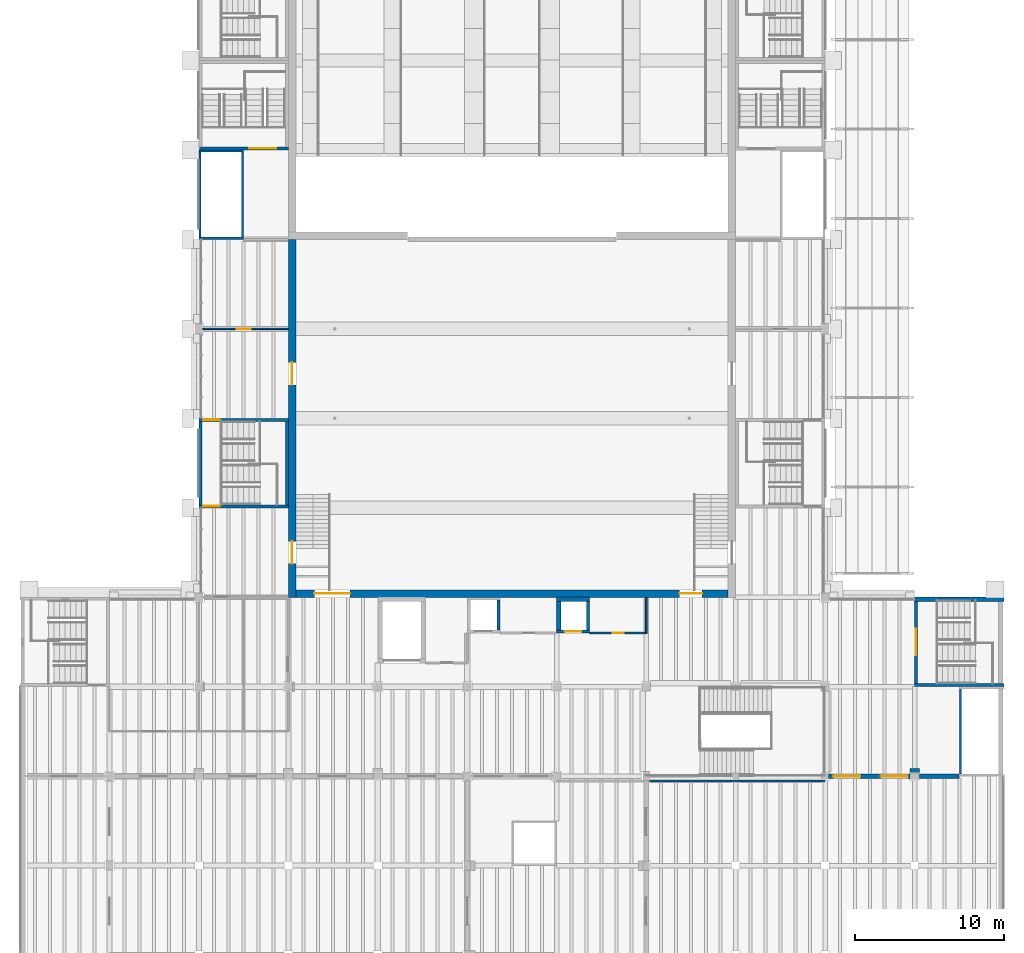
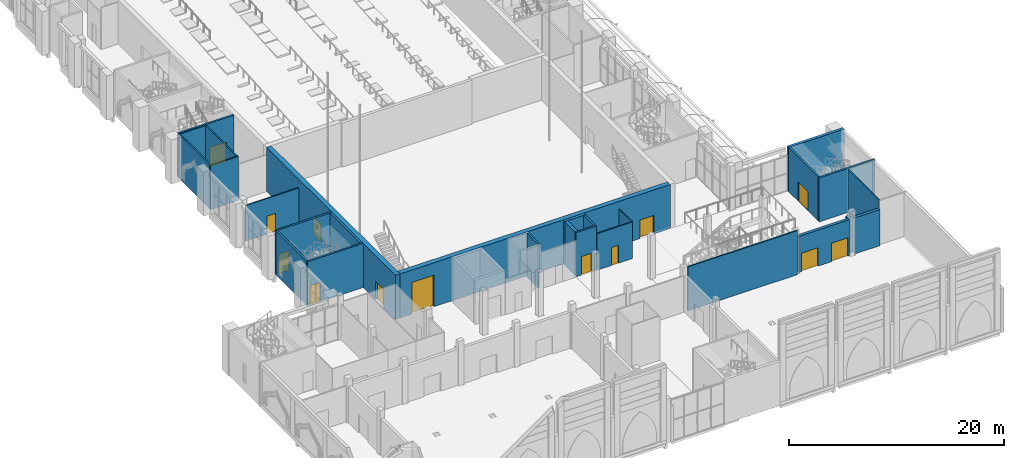
# One storey, part 39 of 80: 27 walls, 13 doors, 13 openings.
"""IFC4 building model written with IfcOpenShell, lengths in metres."""

import ifcopenshell
import ifcopenshell.guid

model = None  # the IFC model being written
_history = None  # IfcOwnerHistory: only IFC2X3 demands one
_inside = {}  # id of a spatial element -> (the spatial element, [elements in it])
_under = {}  # id of a project, library or spatial element -> (it, [spatial elements below it])
_declared = {}  # id of a project -> (the project, [libraries it declares])
_typed = {}  # id of a type object -> (the type object, [elements of that type])
_made_of = {}  # id of a material, layer set ... -> (it, [elements and type objects made of it])


def new_model(schema):
    """Start an empty IFC model of exactly this schema.

    Asked for "IFC4X3", IfcOpenShell would pick the latest addendum, in which some entities
    have other attributes; the version numbers below select the first issue.
    IFC2X3 requires an IfcOwnerHistory on every rooted entity: one is made here for all.
    """
    global model, _history
    if schema == "IFC4X3":
        model = ifcopenshell.file(schema_version=(4, 3, 0, 0))
    else:
        model = ifcopenshell.file(schema=schema)
    _inside.clear()
    _under.clear()
    _declared.clear()
    _typed.clear()
    _made_of.clear()
    _history = None
    if model.schema == "IFC2X3":
        org = make("IfcOrganization", Name="unknown")
        user = make(
            "IfcPersonAndOrganization",
            ThePerson=make("IfcPerson", FamilyName="unknown"),
            TheOrganization=org,
        )
        app = make(
            "IfcApplication",
            ApplicationDeveloper=org,
            Version="unknown",
            ApplicationFullName="unknown",
            ApplicationIdentifier="unknown",
        )
        _history = make(
            "IfcOwnerHistory",
            OwningUser=user,
            OwningApplication=app,
            ChangeAction="ADDED",
            CreationDate=0,
        )
    return model


def make(cls, **values):
    """One entity of the class cls with the attributes given. An attribute that is None is left unset."""
    return model.create_entity(
        cls, **{name: value for name, value in values.items() if value is not None}
    )


def rooted(cls, **values):
    """An entity with a GlobalId (a new one), such as an element, a storey or a relation."""
    return make(cls, GlobalId=ifcopenshell.guid.new(), OwnerHistory=_history, **values)


def si_unit(unit_type, name, prefix=None):
    """IfcSIUnit, for example si_unit("LENGTHUNIT", "METRE", prefix="MILLI")."""
    return make("IfcSIUnit", UnitType=unit_type, Prefix=prefix, Name=name)


def assignment(units):
    """IfcUnitAssignment: the units of a project."""
    return None if units is None else make("IfcUnitAssignment", Units=units)


def point(xyz):
    """IfcCartesianPoint."""
    return None if xyz is None else make("IfcCartesianPoint", Coordinates=xyz)


def direction(xyz):
    """IfcDirection."""
    return None if xyz is None else make("IfcDirection", DirectionRatios=xyz)


def frame(location, z_axis=None, x_axis=None):
    """IfcAxis2Placement3D, a coordinate frame: its origin and axes. An axis left out is left unset."""
    return make(
        "IfcAxis2Placement3D",
        Location=point(location),
        Axis=direction(z_axis),
        RefDirection=direction(x_axis),
    )


def frame_2d(location, x_axis=None):
    """IfcAxis2Placement2D, a coordinate frame in the plane: its origin and x axis."""
    return make(
        "IfcAxis2Placement2D", Location=point(location), RefDirection=direction(x_axis)
    )


def origin():
    """The frame at (0, 0, 0) with its axes left unset."""
    return frame((0.0, 0.0, 0.0))


def place(relative_to, where):
    """IfcLocalPlacement: puts the frame where relative to a parent placement (None: the world)."""
    return make(
        "IfcLocalPlacement", PlacementRelTo=relative_to, RelativePlacement=where
    )


def context(
    kind, dimensions, precision=None, world=None, true_north=None, identifier=None
):
    """IfcGeometricRepresentationContext, for example the 3D "Model" context."""
    return make(
        "IfcGeometricRepresentationContext",
        ContextIdentifier=identifier,
        ContextType=kind,
        CoordinateSpaceDimension=dimensions,
        Precision=precision,
        WorldCoordinateSystem=world,
        TrueNorth=true_north,
    )


def subcontext(parent, identifier, kind, view, scale=None):
    """IfcGeometricRepresentationSubContext, for example "Body" below "Model"."""
    return make(
        "IfcGeometricRepresentationSubContext",
        ContextIdentifier=identifier,
        ContextType=kind,
        ParentContext=parent,
        TargetScale=scale,
        TargetView=view,
    )


def project(units=None, contexts=None):
    """IfcProject with its units and contexts."""
    return rooted(
        "IfcProject",
        Name="project",
        RepresentationContexts=contexts,
        UnitsInContext=assignment(units),
    )


def spatial(cls, under=None, at=None, **own):
    """A site, building, storey or space (cls), placed at a placement, below another one or the project."""
    s = rooted(cls, ObjectPlacement=at, **own)
    if under is not None:
        _under.setdefault(under.id(), (under, []))[1].append(s)
    return s


def profile(cls, at=None, kind="AREA", **sizes):
    """A parametric profile (cls). Its sizes go by their IFC names, for example OverallWidth=200.0."""
    return make(cls, ProfileType=kind, Position=at, **sizes)


def rectangle(**sizes):
    """IfcRectangleProfileDef."""
    return profile("IfcRectangleProfileDef", **sizes)


def extrude(swept, where, along, depth):
    """IfcExtrudedAreaSolid: the profile swept, set in the frame where, extruded along a direction by depth."""
    return make(
        "IfcExtrudedAreaSolid",
        SweptArea=swept,
        Position=where,
        ExtrudedDirection=direction(along),
        Depth=depth,
    )


def shape(context_of_items, identifier, shape_type, items):
    """IfcShapeRepresentation: the items that make up one representation, for example the "Body"."""
    return make(
        "IfcShapeRepresentation",
        ContextOfItems=context_of_items,
        RepresentationIdentifier=identifier,
        RepresentationType=shape_type,
        Items=items,
    )


def material(Name=None, Category=None):
    """IfcMaterial."""
    return make("IfcMaterial", Name=Name, Category=Category)


def layer(
    of_material, thickness, ventilated=None, Name=None, Category=None, Priority=None
):
    """IfcMaterialLayer: one layer of a wall or slab, of a material (None: an air gap)."""
    return make(
        "IfcMaterialLayer",
        Material=of_material,
        LayerThickness=thickness,
        IsVentilated=ventilated,
        Name=Name,
        Category=Category,
        Priority=Priority,
    )


def layer_set(layers, Name=None):
    """IfcMaterialLayerSet."""
    return make("IfcMaterialLayerSet", MaterialLayers=layers, LayerSetName=Name)


def made_of(thing, what):
    """Note that an element or type object is made of a material, layer set ...; save() writes the relation."""
    if what is not None:
        _made_of.setdefault(what.id(), (what, []))[1].append(thing)
    return thing


def type_object(cls, material=None, **own):
    """A type object (cls), such as IfcWallType, which elements share."""
    return made_of(rooted(cls, **own), material)


def element(
    cls,
    number,
    at=None,
    inside=None,
    cuts=None,
    type_object=None,
    material=None,
    context=None,
    identifier="Body",
    shape_type=None,
    held_by="IfcProductDefinitionShape",
    body=None,
    shapes=None,
    **own,
):
    """One element of the class cls, such as IfcWall. Its Tag is "e" and its number.

    at: its placement. inside: the storey or other place that contains it. cuts: it is an
    opening in that element (IfcRelVoidsElement). A single representation is given by context,
    identifier, shape_type and body (its items); several are given by shapes. held_by: the class
    of the entity that holds the representations. save() writes the other relations.
    """
    e = rooted(cls, Tag="e%d" % number, ObjectPlacement=at, **own)
    if body is not None:
        shapes = [shape(context, identifier, shape_type, body)]
    if shapes is not None:
        e.Representation = make(held_by, Representations=shapes)
    if inside is not None:
        _inside.setdefault(inside.id(), (inside, []))[1].append(e)
    if cuts is not None:
        rooted(
            "IfcRelVoidsElement", RelatingBuildingElement=cuts, RelatedOpeningElement=e
        )
    if type_object is not None:
        _typed.setdefault(type_object.id(), (type_object, []))[1].append(e)
    return made_of(e, material)


def fill(opening, filler):
    """IfcRelFillsElement: the door or window that sits in an opening."""
    return rooted(
        "IfcRelFillsElement",
        RelatingOpeningElement=opening,
        RelatedBuildingElement=filler,
    )


def aggregate(whole, parts):
    """IfcRelAggregates: a whole, such as a stair, and the parts it consists of."""
    return rooted("IfcRelAggregates", RelatingObject=whole, RelatedObjects=parts)


def save(model, path):
    """Write the relations noted so far, then the file.

    IfcRelAggregates (storeys below a building ...), IfcRelContainedInSpatialStructure (elements
    in a storey), IfcRelDefinesByType, IfcRelAssociatesMaterial and IfcRelDeclares: one each for
    every whole, place, type object, material and project.
    """
    for whole, parts in _under.values():
        aggregate(whole, parts)
    for where, things in _inside.values():
        rooted(
            "IfcRelContainedInSpatialStructure",
            RelatedElements=things,
            RelatingStructure=where,
        )
    for kind, things in _typed.values():
        rooted("IfcRelDefinesByType", RelatedObjects=things, RelatingType=kind)
    for what, things in _made_of.values():
        rooted("IfcRelAssociatesMaterial", RelatedObjects=things, RelatingMaterial=what)
    for by, libraries in _declared.values():
        rooted("IfcRelDeclares", RelatingContext=by, RelatedDefinitions=libraries)
    model.write(path)


model = new_model("IFC4")

# Units and contexts
model_context = context("Model", 3, precision=1e-05, world=origin(), true_north=direction((0.0, 1.0)))
body_context = subcontext(model_context, "Body", "Model", "MODEL_VIEW")
ifc_project = project(units=[si_unit("LENGTHUNIT", "METRE"), si_unit("AREAUNIT", "SQUARE_METRE"), si_unit("VOLUMEUNIT", "CUBIC_METRE"), si_unit("PLANEANGLEUNIT", "RADIAN"), si_unit("MASSUNIT", "GRAM", prefix="KILO")], contexts=[model_context])

# Site, building, storey
site_placement = place(None, origin())
site = spatial("IfcSite", under=ifc_project, at=site_placement, CompositionType="ELEMENT")
building_placement = place(site_placement, origin())
building = spatial("IfcBuilding", under=site, at=building_placement, Name="Saffron Lane Theatres", CompositionType="ELEMENT")
storey_placement = place(building_placement, frame((0.0, 0.0, 7.0)))
storey = spatial("IfcBuildingStorey", under=building, at=storey_placement, Name="L01", CompositionType="ELEMENT", Elevation=7.0)

# Wall, openings, doors
ifc_material_1 = material(Name="Acoustic masonry fire wall", Category="masonry")
ifc_layer_1 = layer(ifc_material_1, 0.300048828125)
ifc_layer_set_1 = layer_set([ifc_layer_1], Name="Acoustic masonry fire wall")
wall_type_1 = type_object("IfcWallType", Name="IN-ACOUSTIC FIRE WALL 300", PredefinedType="PARTITIONING", material=ifc_layer_set_1)
wall_1_placement = place(storey_placement, frame((54.2451171875, 18.0, 0.0), z_axis=(0.0, 0.0, 1.0), x_axis=(1.0, 0.0, 0.0)))
wall_1 = element("IfcWall", 1, at=wall_1_placement, inside=storey, type_object=wall_type_1, Name="PW-L01-008", PredefinedType="PARTITIONING", context=body_context, shape_type="SweptSolid", body=[
    extrude(rectangle(XDim=5.434814453125, YDim=0.300048828125, at=frame_2d((2.71728515625, 0.0))), origin(), (0.0, 0.0, 1.0), 4.10009765625),
])
opening_1_placement = place(wall_1_placement, frame((0.304931640625, 0.0, 0.0)))
opening_1 = element("IfcOpeningElement", 2, at=opening_1_placement, cuts=wall_1, Name="Opening D01-30", PredefinedType="OPENING", context=body_context, shape_type="SweptSolid", body=[
    extrude(rectangle(XDim=1.800048828125, YDim=2.10009765625, at=frame_2d((0.89990234375, 1.050048828125))), frame((0.0, 0.16015625, 0.0), z_axis=(0.0, -1.0, 0.0), x_axis=(1.0, 0.0, 0.0)), (0.0, 0.0, 1.0), 0.320068359375),
])
opening_2_placement = place(wall_1_placement, frame((3.5048828125, 0.0, 0.0)))
opening_2 = element("IfcOpeningElement", 3, at=opening_2_placement, cuts=wall_1, Name="Opening D01-31", PredefinedType="OPENING", context=body_context, shape_type="SweptSolid", body=[
    extrude(rectangle(XDim=1.800048828125, YDim=2.10009765625, at=frame_2d((0.89990234375, 1.050048828125))), frame((0.0, 0.16015625, 0.0), z_axis=(0.0, -1.0, 0.0), x_axis=(1.0, 0.0, 0.0)), (0.0, 0.0, 1.0), 0.320068359375),
])
ifc_material_2 = material(Name="Steel faced fire door leaf", Category="steel")
door_type_1 = type_object("IfcDoorType", Name="IN-DOOR 1800x2100 FD120", OperationType="DOUBLE_DOOR_SINGLE_SWING", PredefinedType="DOOR", material=ifc_material_2)
door_1_placement = place(opening_1_placement, origin())
door_1 = element("IfcDoor", 4, at=door_1_placement, inside=storey, type_object=door_type_1, Name="D01-30", OperationType="DOUBLE_DOOR_SINGLE_SWING", OverallHeight=2.10009765625, OverallWidth=1.800048828125, PredefinedType="DOOR", context=body_context, shape_type="SweptSolid", body=[
    extrude(rectangle(XDim=1.800048828125, YDim=2.10009765625, at=frame_2d((0.89990234375, 1.050048828125))), frame((0.0, 0.02490234375, 0.0), z_axis=(0.0, -1.0, 0.0), x_axis=(1.0, 0.0, 0.0)), (0.0, 0.0, 1.0), 0.050048828125),
])
fill(opening_1, door_1)
door_2_placement = place(opening_2_placement, origin())
door_2 = element("IfcDoor", 5, at=door_2_placement, inside=storey, type_object=door_type_1, Name="D01-31", OperationType="DOUBLE_DOOR_SINGLE_SWING", OverallHeight=2.10009765625, OverallWidth=1.800048828125, PredefinedType="DOOR", context=body_context, shape_type="SweptSolid", body=[
    extrude(rectangle(XDim=1.800048828125, YDim=2.10009765625, at=frame_2d((0.89990234375, 1.050048828125))), frame((0.0, 0.02490234375, 0.0), z_axis=(0.0, -1.0, 0.0), x_axis=(1.0, 0.0, 0.0)), (0.0, 0.0, 1.0), 0.050048828125),
])
fill(opening_2, door_2)

# Walls
wall_2_placement = place(storey_placement, frame((60.320068359375, 18.0, 0.0), z_axis=(0.0, 0.0, 1.0), x_axis=(1.0, 0.0, 0.0)))
element("IfcWall", 6, at=wall_2_placement, inside=storey, type_object=wall_type_1, Name="PW-L01-009", PredefinedType="PARTITIONING", context=body_context, shape_type="SweptSolid", body=[
    extrude(rectangle(XDim=2.659912109375, YDim=0.300048828125, at=frame_2d((1.330078125, 0.0))), origin(), (0.0, 0.0, 1.0), 4.10009765625),
])
wall_3_placement = place(storey_placement, frame((59.679931640625, 18.3798828125, 0.0), z_axis=(0.0, 0.0, 1.0), x_axis=(1.0, 0.0, 0.0)))
element("IfcWall", 7, at=wall_3_placement, inside=storey, type_object=wall_type_1, Name="PW-L01-010", PredefinedType="PARTITIONING", context=body_context, shape_type="SweptSolid", body=[
    extrude(rectangle(XDim=0.64013671875, YDim=0.300048828125, at=frame_2d((0.320068359375, 0.0))), origin(), (0.0, 0.0, 1.0), 4.10009765625),
])

# Wall, opening, door
ifc_material_3 = material(Name="Masonry block partition", Category="masonry")
ifc_layer_2 = layer(ifc_material_3, 0.110107421875)
ifc_layer_set_2 = layer_set([ifc_layer_2], Name="Masonry block partition")
wall_type_2 = type_object("IfcWallType", Name="IN-BLOCK PARTITION 110", PredefinedType="PARTITIONING", material=ifc_layer_set_2)
wall_4_placement = place(storey_placement, frame((12.27001953125, 48.0, 0.0), z_axis=(0.0, 0.0, 1.0), x_axis=(1.0, 0.0, 0.0)))
wall_4 = element("IfcWall", 8, at=wall_4_placement, inside=storey, type_object=wall_type_2, Name="PW-L01-028", PredefinedType="PARTITIONING", context=body_context, shape_type="SweptSolid", body=[
    extrude(rectangle(XDim=5.7099609375, YDim=0.110107421875, at=frame_2d((2.85498046875, 0.0))), origin(), (0.0, 0.0, 1.0), 4.050048828125),
])
opening_3_placement = place(wall_4_placement, frame((2.280029296875, 0.0, 0.0)))
opening_3 = element("IfcOpeningElement", 9, at=opening_3_placement, cuts=wall_4, Name="Opening D01-15", PredefinedType="OPENING", context=body_context, shape_type="SweptSolid", body=[
    extrude(rectangle(XDim=0.919921875, YDim=2.0400390625, at=frame_2d((0.4599609375, 1.02001953125))), frame((0.0, 0.06494140625, 0.0), z_axis=(0.0, -1.0, 0.0), x_axis=(1.0, 0.0, 0.0)), (0.0, 0.0, 1.0), 0.130126953125),
])
ifc_material_4 = material(Name="Steel faced fire door leaf", Category="steel")
door_type_2 = type_object("IfcDoorType", Name="IN-DOOR 920x2040 FD60", OperationType="NOTDEFINED", PredefinedType="DOOR", material=ifc_material_4)
door_3_placement = place(opening_3_placement, origin())
door_3 = element("IfcDoor", 10, at=door_3_placement, inside=storey, type_object=door_type_2, Name="D01-15", OperationType="SINGLE_SWING_RIGHT", OverallHeight=2.0400390625, OverallWidth=0.919921875, PredefinedType="DOOR", context=body_context, shape_type="SweptSolid", body=[
    extrude(rectangle(XDim=0.919921875, YDim=2.0400390625, at=frame_2d((0.4599609375, 1.02001953125))), frame((0.0, 0.02490234375, 0.0), z_axis=(0.0, -1.0, 0.0), x_axis=(1.0, 0.0, 0.0)), (0.0, 0.0, 1.0), 0.050048828125),
])
fill(opening_3, door_3)

wall_5_placement = place(storey_placement, frame((38.219970703125, 27.60009765625, 0.0), z_axis=(0.0, 0.0, 1.0), x_axis=(1.0, 0.0, 0.0)))
wall_5 = element("IfcWall", 11, at=wall_5_placement, inside=storey, type_object=wall_type_2, Name="PW-L01-039", PredefinedType="PARTITIONING", context=body_context, shape_type="SweptSolid", body=[
    extrude(rectangle(XDim=3.780029296875, YDim=0.110107421875, at=frame_2d((1.89013671875, 0.0))), origin(), (0.0, 0.0, 1.0), 4.14990234375),
])
opening_4_placement = place(wall_5_placement, frame((1.530029296875, 0.0, 0.0)))
opening_4 = element("IfcOpeningElement", 12, at=opening_4_placement, cuts=wall_5, Name="Opening D01-55", PredefinedType="OPENING", context=body_context, shape_type="SweptSolid", body=[
    extrude(rectangle(XDim=0.75, YDim=2.0400390625, at=frame_2d((0.375, 1.02001953125))), frame((0.0, 0.06494140625, 0.0), z_axis=(0.0, -1.0, 0.0), x_axis=(1.0, 0.0, 0.0)), (0.0, 0.0, 1.0), 0.130126953125),
])
ifc_material_5 = material(Name="Steel faced fire door leaf", Category="steel")
door_type_3 = type_object("IfcDoorType", Name="IN-DOOR 750x2040 FD60", OperationType="NOTDEFINED", PredefinedType="DOOR", material=ifc_material_5)
door_4_placement = place(opening_4_placement, origin())
door_4 = element("IfcDoor", 13, at=door_4_placement, inside=storey, type_object=door_type_3, Name="D01-55", OperationType="SINGLE_SWING_LEFT", OverallHeight=2.0400390625, OverallWidth=0.75, PredefinedType="DOOR", context=body_context, shape_type="SweptSolid", body=[
    extrude(rectangle(XDim=0.75, YDim=2.0400390625, at=frame_2d((0.375, 1.02001953125))), frame((0.0, 0.02490234375, 0.0), z_axis=(0.0, -1.0, 0.0), x_axis=(1.0, 0.0, 0.0)), (0.0, 0.0, 1.0), 0.050048828125),
])
fill(opening_4, door_4)

# Walls
wall_6_placement = place(storey_placement, frame((42.0, 27.60009765625, 0.0), z_axis=(0.0, 0.0, 1.0), x_axis=(0.0, 1.0, 0.0)))
element("IfcWall", 14, at=wall_6_placement, inside=storey, type_object=wall_type_2, Name="PW-L01-040", PredefinedType="PARTITIONING", context=body_context, shape_type="SweptSolid", body=[
    extrude(rectangle(XDim=2.3798828125, YDim=0.110107421875, at=frame_2d((1.18994140625, 0.0))), origin(), (0.0, 0.0, 1.0), 4.14990234375),
])
ifc_material_6 = material(Name="Masonry block partition", Category="masonry")
ifc_layer_3 = layer(ifc_material_6, 0.139892578125)
ifc_layer_set_3 = layer_set([ifc_layer_3], Name="Masonry block partition")
wall_type_3 = type_object("IfcWallType", Name="IN-BLOCK PARTITION 140", PredefinedType="PARTITIONING", material=ifc_layer_set_3)
wall_7_placement = place(storey_placement, frame((42.22509765625, 17.679931640625, 0.0), z_axis=(0.0, 0.0, 1.0), x_axis=(1.0, 0.0, 0.0)))
element("IfcWall", 15, at=wall_7_placement, inside=storey, type_object=wall_type_3, Name="PW-L01-063", PredefinedType="PARTITIONING", context=body_context, shape_type="SweptSolid", body=[
    extrude(rectangle(XDim=11.77490234375, YDim=0.139892578125, at=frame_2d((5.887451171875, 0.0))), origin(), (0.0, 0.0, 1.0), 5.0),
])
ifc_material_7 = material(Name="Concrete N50 (50 MPa)", Category="concrete")
ifc_layer_4 = layer(ifc_material_7, 0.14990234375)
ifc_layer_set_4 = layer_set([ifc_layer_4], Name="Concrete N50 (50 MPa)")
wall_type_4 = type_object("IfcWallType", Name="RC-CORE 150", PredefinedType="SHEAR", material=ifc_layer_set_4)
for number, where, z_axis, x_axis, name in (
    (16, (12.0, 59.925048828125, 0.0), (0.0, 0.0, 1.0), (1.0, 0.0, 0.0), "W-R3-N-L01"),
    (17, (12.0, 54.074951171875, 0.0), (0.0, 0.0, 1.0), (1.0, 0.0, 0.0), "W-R3-S-L01"),
):
    element("IfcWall", number, at=place(storey_placement, frame(where, z_axis=z_axis, x_axis=x_axis)), inside=storey, type_object=wall_type_4, Name=name, PredefinedType="SHEAR", context=body_context, shape_type="SweptSolid", body=[
        extrude(rectangle(XDim=3.0, YDim=0.14990234375, at=frame_2d((1.5, 0.0))), origin(), (0.0, 0.0, 1.0), 5.0),
    ])
for number, where, z_axis, x_axis, name in (
    (18, (14.925048828125, 54.14990234375, 0.0), (0.0, 0.0, 1.0), (0.0, 1.0, 0.0), "W-R3-E-L01"),
    (19, (63.074951171875, 18.14990234375, 0.0), (0.0, 0.0, 1.0), (0.0, 1.0, 0.0), "W-R6-W-L01"),
):
    element("IfcWall", number, at=place(storey_placement, frame(where, z_axis=z_axis, x_axis=x_axis)), inside=storey, type_object=wall_type_4, Name=name, PredefinedType="SHEAR", context=body_context, shape_type="SweptSolid", body=[
        extrude(rectangle(XDim=5.7001953125, YDim=0.14990234375, at=frame_2d((2.85009765625, 0.0))), origin(), (0.0, 0.0, 1.0), 5.0),
    ])

# Wall, opening, door
ifc_material_8 = material(Name="Concrete N50 (50 MPa)", Category="concrete")
ifc_layer_5 = layer(ifc_material_8, 0.199951171875)
ifc_layer_set_5 = layer_set([ifc_layer_5], Name="Concrete N50 (50 MPa)")
wall_type_5 = type_object("IfcWallType", Name="RC-CORE 200", PredefinedType="SHEAR", material=ifc_layer_set_5)
wall_8_placement = place(storey_placement, frame((12.0, 60.10009765625, 0.0), z_axis=(0.0, 0.0, 1.0), x_axis=(1.0, 0.0, 0.0)))
wall_8 = element("IfcWall", 20, at=wall_8_placement, inside=storey, type_object=wall_type_5, Name="W-ST10-S-L01", PredefinedType="SHEAR", context=body_context, shape_type="SweptSolid", body=[
    extrude(rectangle(XDim=6.0, YDim=0.199951171875, at=frame_2d((3.0, 0.0))), origin(), (0.0, 0.0, 1.0), 5.0),
])
opening_5_placement = place(wall_8_placement, frame((3.375, 0.0, 0.0)))
opening_5 = element("IfcOpeningElement", 21, at=opening_5_placement, cuts=wall_8, Name="Opening D01-37", PredefinedType="OPENING", context=body_context, shape_type="SweptSolid", body=[
    extrude(rectangle(XDim=1.800048828125, YDim=2.199951171875, at=frame_2d((0.89990234375, 1.10009765625))), frame((0.0, 0.10986328125, 0.0), z_axis=(0.0, -1.0, 0.0), x_axis=(1.0, 0.0, 0.0)), (0.0, 0.0, 1.0), 0.219970703125),
])
ifc_material_9 = material(Name="Steel faced fire door leaf", Category="steel")
door_type_4 = type_object("IfcDoorType", Name="IN-DOOR 1800x2200 FD120", OperationType="DOUBLE_DOOR_SINGLE_SWING", PredefinedType="DOOR", material=ifc_material_9)
door_5_placement = place(opening_5_placement, origin())
door_5 = element("IfcDoor", 22, at=door_5_placement, inside=storey, type_object=door_type_4, Name="D01-37", OperationType="DOUBLE_DOOR_SINGLE_SWING", OverallHeight=2.199951171875, OverallWidth=1.800048828125, PredefinedType="DOOR", context=body_context, shape_type="SweptSolid", body=[
    extrude(rectangle(XDim=1.800048828125, YDim=2.199951171875, at=frame_2d((0.89990234375, 1.10009765625))), frame((0.0, 0.02490234375, 0.0), z_axis=(0.0, -1.0, 0.0), x_axis=(1.0, 0.0, 0.0)), (0.0, 0.0, 1.0), 0.050048828125),
])
fill(opening_5, door_5)

wall_9_placement = place(storey_placement, frame((12.0, 41.89990234375, 0.0), z_axis=(0.0, 0.0, 1.0), x_axis=(1.0, 0.0, 0.0)))
wall_9 = element("IfcWall", 23, at=wall_9_placement, inside=storey, type_object=wall_type_5, Name="W-ST5-N-L01", PredefinedType="SHEAR", context=body_context, shape_type="SweptSolid", body=[
    extrude(rectangle(XDim=6.0, YDim=0.199951171875, at=frame_2d((3.0, 0.0))), origin(), (0.0, 0.0, 1.0), 5.0),
])
opening_6_placement = place(wall_9_placement, frame((0.300048828125, 0.0, 0.0)))
opening_6 = element("IfcOpeningElement", 24, at=opening_6_placement, cuts=wall_9, Name="Opening D01-40", PredefinedType="OPENING", context=body_context, shape_type="SweptSolid", body=[
    extrude(rectangle(XDim=1.10009765625, YDim=2.199951171875, at=frame_2d((0.550048828125, 1.10009765625))), frame((0.0, 0.10986328125, 0.0), z_axis=(0.0, -1.0, 0.0), x_axis=(1.0, 0.0, 0.0)), (0.0, 0.0, 1.0), 0.219970703125),
])
ifc_material_10 = material(Name="Steel faced fire door leaf", Category="steel")
door_type_5 = type_object("IfcDoorType", Name="IN-DOOR 1100x2200 FD120", OperationType="NOTDEFINED", PredefinedType="DOOR", material=ifc_material_10)
door_6_placement = place(opening_6_placement, frame((1.10009765625, 0.0, 0.0), z_axis=(0.0, 0.0, 1.0), x_axis=(-1.0, 0.0, 0.0)))
door_6 = element("IfcDoor", 25, at=door_6_placement, inside=storey, type_object=door_type_5, Name="D01-40", OperationType="SINGLE_SWING_LEFT", OverallHeight=2.199951171875, OverallWidth=1.10009765625, PredefinedType="DOOR", context=body_context, shape_type="SweptSolid", body=[
    extrude(rectangle(XDim=1.10009765625, YDim=2.199951171875, at=frame_2d((0.550048828125, 1.10009765625))), frame((0.0, 0.02490234375, 0.0), z_axis=(0.0, -1.0, 0.0), x_axis=(1.0, 0.0, 0.0)), (0.0, 0.0, 1.0), 0.050048828125),
])
fill(opening_6, door_6)

wall_10_placement = place(storey_placement, frame((12.0, 36.10009765625, 0.0), z_axis=(0.0, 0.0, 1.0), x_axis=(1.0, 0.0, 0.0)))
wall_10 = element("IfcWall", 26, at=wall_10_placement, inside=storey, type_object=wall_type_5, Name="W-ST5-S-L01", PredefinedType="SHEAR", context=body_context, shape_type="SweptSolid", body=[
    extrude(rectangle(XDim=6.0, YDim=0.199951171875, at=frame_2d((3.0, 0.0))), origin(), (0.0, 0.0, 1.0), 5.0),
])
opening_7_placement = place(wall_10_placement, frame((0.300048828125, 0.0, 0.0)))
opening_7 = element("IfcOpeningElement", 27, at=opening_7_placement, cuts=wall_10, Name="Opening D01-39", PredefinedType="OPENING", context=body_context, shape_type="SweptSolid", body=[
    extrude(rectangle(XDim=1.10009765625, YDim=2.199951171875, at=frame_2d((0.550048828125, 1.10009765625))), frame((0.0, 0.10986328125, 0.0), z_axis=(0.0, -1.0, 0.0), x_axis=(1.0, 0.0, 0.0)), (0.0, 0.0, 1.0), 0.219970703125),
])
door_7_placement = place(opening_7_placement, origin())
door_7 = element("IfcDoor", 28, at=door_7_placement, inside=storey, type_object=door_type_5, Name="D01-39", OperationType="SINGLE_SWING_RIGHT", OverallHeight=2.199951171875, OverallWidth=1.10009765625, PredefinedType="DOOR", context=body_context, shape_type="SweptSolid", body=[
    extrude(rectangle(XDim=1.10009765625, YDim=2.199951171875, at=frame_2d((0.550048828125, 1.10009765625))), frame((0.0, 0.02490234375, 0.0), z_axis=(0.0, -1.0, 0.0), x_axis=(1.0, 0.0, 0.0)), (0.0, 0.0, 1.0), 0.050048828125),
])
fill(opening_7, door_7)

# Walls
wall_11_placement = place(storey_placement, frame((17.89990234375, 36.199951171875, 0.0), z_axis=(0.0, 0.0, 1.0), x_axis=(0.0, 1.0, 0.0)))
element("IfcWall", 29, at=wall_11_placement, inside=storey, type_object=wall_type_5, Name="W-ST5-E-L01", PredefinedType="SHEAR", context=body_context, shape_type="SweptSolid", body=[
    extrude(rectangle(XDim=5.60009765625, YDim=0.199951171875, at=frame_2d((2.800048828125, 0.0))), origin(), (0.0, 0.0, 1.0), 5.0),
])
wall_12_placement = place(storey_placement, frame((60.0, 24.10009765625, 0.0), z_axis=(0.0, 0.0, 1.0), x_axis=(1.0, 0.0, 0.0)))
element("IfcWall", 30, at=wall_12_placement, inside=storey, type_object=wall_type_5, Name="W-ST13-S-L01", PredefinedType="SHEAR", context=body_context, shape_type="SweptSolid", body=[
    extrude(rectangle(XDim=6.0, YDim=0.199951171875, at=frame_2d((3.0, 0.0))), origin(), (0.0, 0.0, 1.0), 5.0),
])

# Wall, opening, door
wall_13_placement = place(storey_placement, frame((60.10009765625, 24.199951171875, 0.0), z_axis=(0.0, 0.0, 1.0), x_axis=(0.0, 1.0, 0.0)))
wall_13 = element("IfcWall", 31, at=wall_13_placement, inside=storey, type_object=wall_type_5, Name="W-ST13-W-L01", PredefinedType="SHEAR", context=body_context, shape_type="SweptSolid", body=[
    extrude(rectangle(XDim=5.5, YDim=0.199951171875, at=frame_2d((2.75, 0.0))), origin(), (0.0, 0.0, 1.0), 5.0),
])
opening_8_placement = place(wall_13_placement, frame((1.89990234375, 0.0, 0.0)))
opening_8 = element("IfcOpeningElement", 32, at=opening_8_placement, cuts=wall_13, Name="Opening D01-47", PredefinedType="OPENING", context=body_context, shape_type="SweptSolid", body=[
    extrude(rectangle(XDim=1.800048828125, YDim=2.199951171875, at=frame_2d((0.89990234375, 1.10009765625))), frame((0.0, 0.10986328125, 0.0), z_axis=(0.0, -1.0, 0.0), x_axis=(1.0, 0.0, 0.0)), (0.0, 0.0, 1.0), 0.219970703125),
])
door_8_placement = place(opening_8_placement, frame((1.800048828125, 0.0, 0.0), z_axis=(0.0, 0.0, 1.0), x_axis=(-1.0, 0.0, 0.0)))
door_8 = element("IfcDoor", 33, at=door_8_placement, inside=storey, type_object=door_type_4, Name="D01-47", OperationType="DOUBLE_DOOR_SINGLE_SWING", OverallHeight=2.199951171875, OverallWidth=1.800048828125, PredefinedType="DOOR", context=body_context, shape_type="SweptSolid", body=[
    extrude(rectangle(XDim=1.800048828125, YDim=2.199951171875, at=frame_2d((0.89990234375, 1.10009765625))), frame((0.0, 0.02490234375, 0.0), z_axis=(0.0, -1.0, 0.0), x_axis=(1.0, 0.0, 0.0)), (0.0, 0.0, 1.0), 0.050048828125),
])
fill(opening_8, door_8)

# Wall
wall_14_placement = place(storey_placement, frame((32.10009765625, 27.800048828125, 0.0), z_axis=(0.0, 0.0, 1.0), x_axis=(0.0, 1.0, 0.0)))
element("IfcWall", 34, at=wall_14_placement, inside=storey, type_object=wall_type_5, Name="W-LC5-E-L01", PredefinedType="SHEAR", context=body_context, shape_type="SweptSolid", body=[
    extrude(rectangle(XDim=2.0, YDim=0.199951171875, at=frame_2d((1.0, 0.0))), origin(), (0.0, 0.0, 1.0), 5.0),
])

# Wall, opening, door
wall_15_placement = place(storey_placement, frame((36.0, 27.699951171875, 0.0), z_axis=(0.0, 0.0, 1.0), x_axis=(1.0, 0.0, 0.0)))
wall_15 = element("IfcWall", 35, at=wall_15_placement, inside=storey, type_object=wall_type_5, Name="W-LC6-S-L01", PredefinedType="SHEAR", context=body_context, shape_type="SweptSolid", body=[
    extrude(rectangle(XDim=2.199951171875, YDim=0.199951171875, at=frame_2d((1.10009765625, 0.0))), origin(), (0.0, 0.0, 1.0), 5.0),
])
opening_9_placement = place(wall_15_placement, frame((0.550048828125, 0.0, 0.0)))
opening_9 = element("IfcOpeningElement", 36, at=opening_9_placement, cuts=wall_15, Name="Opening LD21", PredefinedType="OPENING", context=body_context, shape_type="SweptSolid", body=[
    extrude(rectangle(XDim=1.10009765625, YDim=2.10009765625, at=frame_2d((0.550048828125, 1.050048828125))), frame((0.0, 0.10986328125, 0.0), z_axis=(0.0, -1.0, 0.0), x_axis=(1.0, 0.0, 0.0)), (0.0, 0.0, 1.0), 0.219970703125),
])
ifc_material_11 = material(Name="Stainless steel 316", Category="steel")
door_type_6 = type_object("IfcDoorType", Name="VC-LANDING DOOR 1100x2100", OperationType="DOUBLE_DOOR_SLIDING", PredefinedType="DOOR", material=ifc_material_11)
door_9_placement = place(opening_9_placement, origin())
door_9 = element("IfcDoor", 37, at=door_9_placement, inside=storey, type_object=door_type_6, Name="Landing doors LC6 L01", OperationType="DOUBLE_DOOR_SLIDING", OverallHeight=2.10009765625, OverallWidth=1.10009765625, PredefinedType="DOOR", context=body_context, shape_type="SweptSolid", body=[
    extrude(rectangle(XDim=1.10009765625, YDim=2.10009765625, at=frame_2d((0.550048828125, 1.050048828125))), frame((0.0, 0.02490234375, 0.0), z_axis=(0.0, -1.0, 0.0), x_axis=(1.0, 0.0, 0.0)), (0.0, 0.0, 1.0), 0.050048828125),
])
fill(opening_9, door_9)

# Walls
wall_16_placement = place(storey_placement, frame((38.10009765625, 27.800048828125, 0.0), z_axis=(0.0, 0.0, 1.0), x_axis=(0.0, 1.0, 0.0)))
element("IfcWall", 38, at=wall_16_placement, inside=storey, type_object=wall_type_5, Name="W-LC6-E-L01", PredefinedType="SHEAR", context=body_context, shape_type="SweptSolid", body=[
    extrude(rectangle(XDim=1.89990234375, YDim=0.199951171875, at=frame_2d((0.949951171875, 0.0))), origin(), (0.0, 0.0, 1.0), 5.0),
])
ifc_material_12 = material(Name="Concrete N50 (50 MPa)", Category="concrete")
ifc_layer_6 = layer(ifc_material_12, 0.300048828125)
ifc_layer_set_6 = layer_set([ifc_layer_6], Name="Concrete N50 (50 MPa)")
wall_type_6 = type_object("IfcWallType", Name="RC-CORE 300", PredefinedType="SHEAR", material=ifc_layer_set_6)
wall_17_placement = place(storey_placement, frame((36.0, 29.85009765625, 0.0), z_axis=(0.0, 0.0, 1.0), x_axis=(1.0, 0.0, 0.0)))
element("IfcWall", 39, at=wall_17_placement, inside=storey, type_object=wall_type_6, Name="W-LC6-N-L01", PredefinedType="SHEAR", context=body_context, shape_type="SweptSolid", body=[
    extrude(rectangle(XDim=2.199951171875, YDim=0.300048828125, at=frame_2d((1.10009765625, 0.0))), origin(), (0.0, 0.0, 1.0), 5.0),
])
wall_18_placement = place(storey_placement, frame((36.14990234375, 27.800048828125, 0.0), z_axis=(0.0, 0.0, 1.0), x_axis=(0.0, 1.0, 0.0)))
element("IfcWall", 40, at=wall_18_placement, inside=storey, type_object=wall_type_6, Name="W-LC6-W-L01", PredefinedType="SHEAR", context=body_context, shape_type="SweptSolid", body=[
    extrude(rectangle(XDim=1.89990234375, YDim=0.300048828125, at=frame_2d((0.949951171875, 0.0))), origin(), (0.0, 0.0, 1.0), 5.0),
])
ifc_material_13 = material(Name="Concrete N50 (50 MPa)", Category="concrete")
ifc_layer_7 = layer(ifc_material_13, 0.14990234375)
ifc_layer_set_7 = layer_set([ifc_layer_7], Name="Concrete N50 (50 MPa)")
wall_type_7 = type_object("IfcWallType", Name="RC-CORE EXTERNAL 150", PredefinedType="SHEAR", material=ifc_layer_set_7)
wall_19_placement = place(storey_placement, frame((12.074951171875, 54.14990234375, 0.0), z_axis=(0.0, 0.0, 1.0), x_axis=(0.0, 1.0, 0.0)))
element("IfcWall", 41, at=wall_19_placement, inside=storey, type_object=wall_type_7, Name="W-R3-W-L01", PredefinedType="SHEAR", context=body_context, shape_type="SweptSolid", body=[
    extrude(rectangle(XDim=5.7001953125, YDim=0.14990234375, at=frame_2d((2.85009765625, 0.0))), origin(), (0.0, 0.0, 1.0), 5.0),
])
ifc_material_14 = material(Name="Concrete N50 (50 MPa)", Category="concrete")
ifc_layer_8 = layer(ifc_material_14, 0.199951171875)
ifc_layer_set_8 = layer_set([ifc_layer_8], Name="Concrete N50 (50 MPa)")
wall_type_8 = type_object("IfcWallType", Name="RC-CORE EXTERNAL 200", PredefinedType="SHEAR", material=ifc_layer_set_8)
wall_20_placement = place(storey_placement, frame((12.10009765625, 36.199951171875, 0.0), z_axis=(0.0, 0.0, 1.0), x_axis=(0.0, 1.0, 0.0)))
element("IfcWall", 42, at=wall_20_placement, inside=storey, type_object=wall_type_8, Name="W-ST5-W-L01", PredefinedType="SHEAR", context=body_context, shape_type="SweptSolid", body=[
    extrude(rectangle(XDim=5.60009765625, YDim=0.199951171875, at=frame_2d((2.800048828125, 0.0))), origin(), (0.0, 0.0, 1.0), 5.0),
])
ifc_material_15 = material(Name="Concrete N50 (50 MPa)", Category="concrete")
ifc_layer_9 = layer(ifc_material_15, 0.300048828125)
ifc_layer_set_9 = layer_set([ifc_layer_9], Name="Concrete N50 (50 MPa)")
wall_type_9 = type_object("IfcWallType", Name="RC-CORE EXTERNAL 300", PredefinedType="SHEAR", material=ifc_layer_set_9)
wall_21_placement = place(storey_placement, frame((60.0, 29.85009765625, 0.0), z_axis=(0.0, 0.0, 1.0), x_axis=(1.0, 0.0, 0.0)))
element("IfcWall", 43, at=wall_21_placement, inside=storey, type_object=wall_type_9, Name="W-ST13-N-L01", PredefinedType="SHEAR", context=body_context, shape_type="SweptSolid", body=[
    extrude(rectangle(XDim=6.0, YDim=0.300048828125, at=frame_2d((3.0, 0.0))), origin(), (0.0, 0.0, 1.0), 5.0),
])

# Wall, openings, doors
ifc_material_16 = material(Name="Concrete N50 (50 MPa)", Category="concrete")
ifc_layer_10 = layer(ifc_material_16, 0.5)
ifc_layer_set_10 = layer_set([ifc_layer_10], Name="Concrete N50 (50 MPa)")
wall_type_10 = type_object("IfcWallType", Name="RC-WALL 500", PredefinedType="SHEAR", material=ifc_layer_set_10)
wall_22_placement = place(storey_placement, frame((18.25, 30.0, 0.0), z_axis=(0.0, 0.0, 1.0), x_axis=(0.0, 1.0, 0.0)))
wall_22 = element("IfcWall", 44, at=wall_22_placement, inside=storey, type_object=wall_type_10, Name="W-STGS-W-L01", PredefinedType="SHEAR", context=body_context, shape_type="SweptSolid", body=[
    extrude(rectangle(XDim=24.0, YDim=0.5, at=frame_2d((12.0, 0.0))), origin(), (0.0, 0.0, 1.0), 5.0),
])
opening_10_placement = place(wall_22_placement, frame((2.25, 0.0, 0.0)))
opening_10 = element("IfcOpeningElement", 45, at=opening_10_placement, cuts=wall_22, Name="Opening D01-09", PredefinedType="OPENING", context=body_context, shape_type="SweptSolid", body=[
    extrude(rectangle(XDim=1.5, YDim=2.10009765625, at=frame_2d((0.75, 1.050048828125))), frame((0.0, 0.260009765625, 0.0), z_axis=(0.0, -1.0, 0.0), x_axis=(1.0, 0.0, 0.0)), (0.0, 0.0, 1.0), 0.52001953125),
])
opening_11_placement = place(wall_22_placement, frame((14.25, 0.0, 0.0)))
opening_11 = element("IfcOpeningElement", 46, at=opening_11_placement, cuts=wall_22, Name="Opening D01-11", PredefinedType="OPENING", context=body_context, shape_type="SweptSolid", body=[
    extrude(rectangle(XDim=1.5, YDim=2.10009765625, at=frame_2d((0.75, 1.050048828125))), frame((0.0, 0.260009765625, 0.0), z_axis=(0.0, -1.0, 0.0), x_axis=(1.0, 0.0, 0.0)), (0.0, 0.0, 1.0), 0.52001953125),
])
ifc_material_17 = material(Name="Steel faced fire door leaf", Category="steel")
door_type_7 = type_object("IfcDoorType", Name="IN-DOOR 1500x2100 FD120", OperationType="DOUBLE_DOOR_SINGLE_SWING", PredefinedType="DOOR", material=ifc_material_17)
door_10_placement = place(opening_10_placement, origin())
door_10 = element("IfcDoor", 47, at=door_10_placement, inside=storey, type_object=door_type_7, Name="D01-09", OperationType="DOUBLE_DOOR_SINGLE_SWING", OverallHeight=2.10009765625, OverallWidth=1.5, PredefinedType="DOOR", context=body_context, shape_type="SweptSolid", body=[
    extrude(rectangle(XDim=1.5, YDim=2.10009765625, at=frame_2d((0.75, 1.050048828125))), frame((0.0, 0.02490234375, 0.0), z_axis=(0.0, -1.0, 0.0), x_axis=(1.0, 0.0, 0.0)), (0.0, 0.0, 1.0), 0.050048828125),
])
fill(opening_10, door_10)
door_11_placement = place(opening_11_placement, origin())
door_11 = element("IfcDoor", 48, at=door_11_placement, inside=storey, type_object=door_type_7, Name="D01-11", OperationType="DOUBLE_DOOR_SINGLE_SWING", OverallHeight=2.10009765625, OverallWidth=1.5, PredefinedType="DOOR", context=body_context, shape_type="SweptSolid", body=[
    extrude(rectangle(XDim=1.5, YDim=2.10009765625, at=frame_2d((0.75, 1.050048828125))), frame((0.0, 0.02490234375, 0.0), z_axis=(0.0, -1.0, 0.0), x_axis=(1.0, 0.0, 0.0)), (0.0, 0.0, 1.0), 0.050048828125),
])
fill(opening_11, door_11)

wall_23_placement = place(storey_placement, frame((18.5, 30.25, 0.0), z_axis=(0.0, 0.0, 1.0), x_axis=(1.0, 0.0, 0.0)))
wall_23 = element("IfcWall", 49, at=wall_23_placement, inside=storey, type_object=wall_type_10, Name="W-BACK-L01", PredefinedType="SHEAR", context=body_context, shape_type="SweptSolid", body=[
    extrude(rectangle(XDim=29.0, YDim=0.5, at=frame_2d((14.5, 0.0))), origin(), (0.0, 0.0, 1.0), 5.0),
])
opening_12_placement = place(wall_23_placement, frame((1.25, 0.0, 0.0)))
opening_12 = element("IfcOpeningElement", 50, at=opening_12_placement, cuts=wall_23, Name="Opening D01-13", PredefinedType="OPENING", context=body_context, shape_type="SweptSolid", body=[
    extrude(rectangle(XDim=2.39990234375, YDim=3.60009765625, at=frame_2d((1.199951171875, 1.800048828125))), frame((0.0, 0.260009765625, 0.0), z_axis=(0.0, -1.0, 0.0), x_axis=(1.0, 0.0, 0.0)), (0.0, 0.0, 1.0), 0.52001953125),
])
opening_13_placement = place(wall_23_placement, frame((25.75, 0.0, 0.0)))
opening_13 = element("IfcOpeningElement", 51, at=opening_13_placement, cuts=wall_23, Name="Opening D01-14", PredefinedType="OPENING", context=body_context, shape_type="SweptSolid", body=[
    extrude(rectangle(XDim=1.5, YDim=2.10009765625, at=frame_2d((0.75, 1.050048828125))), frame((0.0, 0.260009765625, 0.0), z_axis=(0.0, -1.0, 0.0), x_axis=(1.0, 0.0, 0.0)), (0.0, 0.0, 1.0), 0.52001953125),
])
door_12_placement = place(opening_13_placement, frame((1.5, 0.0, 0.0), z_axis=(0.0, 0.0, 1.0), x_axis=(-1.0, 0.0, 0.0)))
door_12 = element("IfcDoor", 52, at=door_12_placement, inside=storey, type_object=door_type_7, Name="D01-14", OperationType="DOUBLE_DOOR_SINGLE_SWING", OverallHeight=2.10009765625, OverallWidth=1.5, PredefinedType="DOOR", context=body_context, shape_type="SweptSolid", body=[
    extrude(rectangle(XDim=1.5, YDim=2.10009765625, at=frame_2d((0.75, 1.050048828125))), frame((0.0, 0.02490234375, 0.0), z_axis=(0.0, -1.0, 0.0), x_axis=(1.0, 0.0, 0.0)), (0.0, 0.0, 1.0), 0.050048828125),
])
fill(opening_13, door_12)
ifc_material_18 = material(Name="Steel faced fire door leaf", Category="steel")
door_type_8 = type_object("IfcDoorType", Name="IN-DOOR 2400x3600 FD120", OperationType="DOUBLE_DOOR_SINGLE_SWING", PredefinedType="DOOR", material=ifc_material_18)
door_13_placement = place(opening_12_placement, frame((2.39990234375, 0.0, 0.0), z_axis=(0.0, 0.0, 1.0), x_axis=(-1.0, 0.0, 0.0)))
door_13 = element("IfcDoor", 53, at=door_13_placement, inside=storey, type_object=door_type_8, Name="D01-13", OperationType="DOUBLE_DOOR_SINGLE_SWING", OverallHeight=3.60009765625, OverallWidth=2.39990234375, PredefinedType="DOOR", context=body_context, shape_type="SweptSolid", body=[
    extrude(rectangle(XDim=2.39990234375, YDim=3.60009765625, at=frame_2d((1.199951171875, 1.800048828125))), frame((0.0, 0.02490234375, 0.0), z_axis=(0.0, -1.0, 0.0), x_axis=(1.0, 0.0, 0.0)), (0.0, 0.0, 1.0), 0.050048828125),
])
fill(opening_12, door_13)

save(model, "model.ifc")
